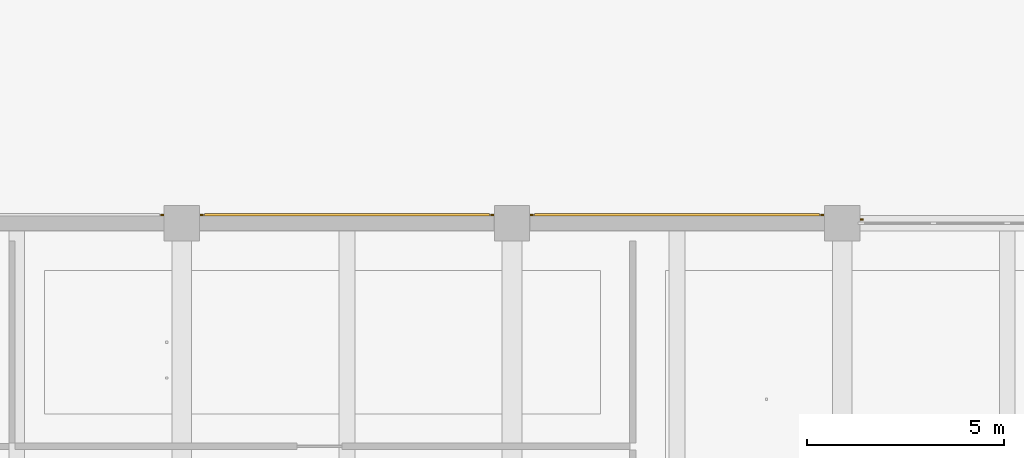
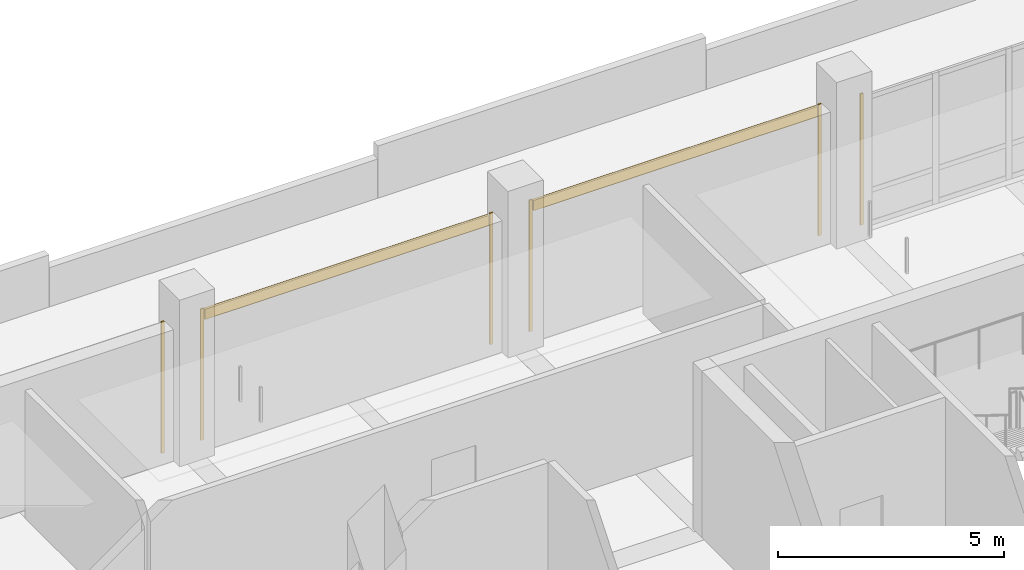
# One storey, part 58 of 59: 8 coverings.
"""IFC4 building model written with IfcOpenShell, lengths in metres."""

import ifcopenshell
import ifcopenshell.guid

model = None  # the IFC model being written
_history = None  # IfcOwnerHistory: only IFC2X3 demands one
_inside = {}  # id of a spatial element -> (the spatial element, [elements in it])
_under = {}  # id of a project, library or spatial element -> (it, [spatial elements below it])
_declared = {}  # id of a project -> (the project, [libraries it declares])
_typed = {}  # id of a type object -> (the type object, [elements of that type])
_made_of = {}  # id of a material, layer set ... -> (it, [elements and type objects made of it])


def new_model(schema):
    """Start an empty IFC model of exactly this schema.

    Asked for "IFC4X3", IfcOpenShell would pick the latest addendum, in which some entities
    have other attributes; the version numbers below select the first issue.
    IFC2X3 requires an IfcOwnerHistory on every rooted entity: one is made here for all.
    """
    global model, _history
    if schema == "IFC4X3":
        model = ifcopenshell.file(schema_version=(4, 3, 0, 0))
    else:
        model = ifcopenshell.file(schema=schema)
    _inside.clear()
    _under.clear()
    _declared.clear()
    _typed.clear()
    _made_of.clear()
    _history = None
    if model.schema == "IFC2X3":
        org = make("IfcOrganization", Name="unknown")
        user = make(
            "IfcPersonAndOrganization",
            ThePerson=make("IfcPerson", FamilyName="unknown"),
            TheOrganization=org,
        )
        app = make(
            "IfcApplication",
            ApplicationDeveloper=org,
            Version="unknown",
            ApplicationFullName="unknown",
            ApplicationIdentifier="unknown",
        )
        _history = make(
            "IfcOwnerHistory",
            OwningUser=user,
            OwningApplication=app,
            ChangeAction="ADDED",
            CreationDate=0,
        )
    return model


def make(cls, **values):
    """One entity of the class cls with the attributes given. An attribute that is None is left unset."""
    return model.create_entity(
        cls, **{name: value for name, value in values.items() if value is not None}
    )


def rooted(cls, **values):
    """An entity with a GlobalId (a new one), such as an element, a storey or a relation."""
    return make(cls, GlobalId=ifcopenshell.guid.new(), OwnerHistory=_history, **values)


def si_unit(unit_type, name, prefix=None):
    """IfcSIUnit, for example si_unit("LENGTHUNIT", "METRE", prefix="MILLI")."""
    return make("IfcSIUnit", UnitType=unit_type, Prefix=prefix, Name=name)


def assignment(units):
    """IfcUnitAssignment: the units of a project."""
    return None if units is None else make("IfcUnitAssignment", Units=units)


def point(xyz):
    """IfcCartesianPoint."""
    return None if xyz is None else make("IfcCartesianPoint", Coordinates=xyz)


def direction(xyz):
    """IfcDirection."""
    return None if xyz is None else make("IfcDirection", DirectionRatios=xyz)


def frame(location, z_axis=None, x_axis=None):
    """IfcAxis2Placement3D, a coordinate frame: its origin and axes. An axis left out is left unset."""
    return make(
        "IfcAxis2Placement3D",
        Location=point(location),
        Axis=direction(z_axis),
        RefDirection=direction(x_axis),
    )


def frame_2d(location, x_axis=None):
    """IfcAxis2Placement2D, a coordinate frame in the plane: its origin and x axis."""
    return make(
        "IfcAxis2Placement2D", Location=point(location), RefDirection=direction(x_axis)
    )


def origin():
    """The frame at (0, 0, 0) with its axes left unset."""
    return frame((0.0, 0.0, 0.0))


def origin_2d():
    """The frame at (0, 0) in the plane with its x axis left unset."""
    return frame_2d((0.0, 0.0))


def place(relative_to, where):
    """IfcLocalPlacement: puts the frame where relative to a parent placement (None: the world)."""
    return make(
        "IfcLocalPlacement", PlacementRelTo=relative_to, RelativePlacement=where
    )


def context(
    kind, dimensions, precision=None, world=None, true_north=None, identifier=None
):
    """IfcGeometricRepresentationContext, for example the 3D "Model" context."""
    return make(
        "IfcGeometricRepresentationContext",
        ContextIdentifier=identifier,
        ContextType=kind,
        CoordinateSpaceDimension=dimensions,
        Precision=precision,
        WorldCoordinateSystem=world,
        TrueNorth=true_north,
    )


def subcontext(parent, identifier, kind, view, scale=None):
    """IfcGeometricRepresentationSubContext, for example "Body" below "Model"."""
    return make(
        "IfcGeometricRepresentationSubContext",
        ContextIdentifier=identifier,
        ContextType=kind,
        ParentContext=parent,
        TargetScale=scale,
        TargetView=view,
    )


def project(units=None, contexts=None):
    """IfcProject with its units and contexts."""
    return rooted(
        "IfcProject",
        Name="project",
        RepresentationContexts=contexts,
        UnitsInContext=assignment(units),
    )


def spatial(cls, under=None, at=None, **own):
    """A site, building, storey or space (cls), placed at a placement, below another one or the project."""
    s = rooted(cls, ObjectPlacement=at, **own)
    if under is not None:
        _under.setdefault(under.id(), (under, []))[1].append(s)
    return s


def profile(cls, at=None, kind="AREA", **sizes):
    """A parametric profile (cls). Its sizes go by their IFC names, for example OverallWidth=200.0."""
    return make(cls, ProfileType=kind, Position=at, **sizes)


def rectangle(**sizes):
    """IfcRectangleProfileDef."""
    return profile("IfcRectangleProfileDef", **sizes)


def extrude(swept, where, along, depth):
    """IfcExtrudedAreaSolid: the profile swept, set in the frame where, extruded along a direction by depth."""
    return make(
        "IfcExtrudedAreaSolid",
        SweptArea=swept,
        Position=where,
        ExtrudedDirection=direction(along),
        Depth=depth,
    )


def shape(context_of_items, identifier, shape_type, items):
    """IfcShapeRepresentation: the items that make up one representation, for example the "Body"."""
    return make(
        "IfcShapeRepresentation",
        ContextOfItems=context_of_items,
        RepresentationIdentifier=identifier,
        RepresentationType=shape_type,
        Items=items,
    )


def material(Name=None, Category=None):
    """IfcMaterial."""
    return make("IfcMaterial", Name=Name, Category=Category)


def layer(
    of_material, thickness, ventilated=None, Name=None, Category=None, Priority=None
):
    """IfcMaterialLayer: one layer of a wall or slab, of a material (None: an air gap)."""
    return make(
        "IfcMaterialLayer",
        Material=of_material,
        LayerThickness=thickness,
        IsVentilated=ventilated,
        Name=Name,
        Category=Category,
        Priority=Priority,
    )


def layer_set(layers, Name=None):
    """IfcMaterialLayerSet."""
    return make("IfcMaterialLayerSet", MaterialLayers=layers, LayerSetName=Name)


def made_of(thing, what):
    """Note that an element or type object is made of a material, layer set ...; save() writes the relation."""
    if what is not None:
        _made_of.setdefault(what.id(), (what, []))[1].append(thing)
    return thing


def type_object(cls, material=None, **own):
    """A type object (cls), such as IfcWallType, which elements share."""
    return made_of(rooted(cls, **own), material)


def element(
    cls,
    number,
    at=None,
    inside=None,
    cuts=None,
    type_object=None,
    material=None,
    context=None,
    identifier="Body",
    shape_type=None,
    held_by="IfcProductDefinitionShape",
    body=None,
    shapes=None,
    **own,
):
    """One element of the class cls, such as IfcWall. Its Tag is "e" and its number.

    at: its placement. inside: the storey or other place that contains it. cuts: it is an
    opening in that element (IfcRelVoidsElement). A single representation is given by context,
    identifier, shape_type and body (its items); several are given by shapes. held_by: the class
    of the entity that holds the representations. save() writes the other relations.
    """
    e = rooted(cls, Tag="e%d" % number, ObjectPlacement=at, **own)
    if body is not None:
        shapes = [shape(context, identifier, shape_type, body)]
    if shapes is not None:
        e.Representation = make(held_by, Representations=shapes)
    if inside is not None:
        _inside.setdefault(inside.id(), (inside, []))[1].append(e)
    if cuts is not None:
        rooted(
            "IfcRelVoidsElement", RelatingBuildingElement=cuts, RelatedOpeningElement=e
        )
    if type_object is not None:
        _typed.setdefault(type_object.id(), (type_object, []))[1].append(e)
    return made_of(e, material)


def aggregate(whole, parts):
    """IfcRelAggregates: a whole, such as a stair, and the parts it consists of."""
    return rooted("IfcRelAggregates", RelatingObject=whole, RelatedObjects=parts)


def save(model, path):
    """Write the relations noted so far, then the file.

    IfcRelAggregates (storeys below a building ...), IfcRelContainedInSpatialStructure (elements
    in a storey), IfcRelDefinesByType, IfcRelAssociatesMaterial and IfcRelDeclares: one each for
    every whole, place, type object, material and project.
    """
    for whole, parts in _under.values():
        aggregate(whole, parts)
    for where, things in _inside.values():
        rooted(
            "IfcRelContainedInSpatialStructure",
            RelatedElements=things,
            RelatingStructure=where,
        )
    for kind, things in _typed.values():
        rooted("IfcRelDefinesByType", RelatedObjects=things, RelatingType=kind)
    for what, things in _made_of.values():
        rooted("IfcRelAssociatesMaterial", RelatedObjects=things, RelatingMaterial=what)
    for by, libraries in _declared.values():
        rooted("IfcRelDeclares", RelatingContext=by, RelatedDefinitions=libraries)
    model.write(path)


model = new_model("IFC4")

# Units and contexts
model_context = context("Model", 3, precision=1e-05, world=origin(), true_north=direction((0.0, 1.0)))
body_context = subcontext(model_context, "Body", "Model", "MODEL_VIEW")
ifc_project = project(units=[si_unit("LENGTHUNIT", "METRE"), si_unit("AREAUNIT", "SQUARE_METRE"), si_unit("VOLUMEUNIT", "CUBIC_METRE"), si_unit("PLANEANGLEUNIT", "RADIAN"), si_unit("MASSUNIT", "GRAM", prefix="KILO")], contexts=[model_context])

# Site, building, storey
site_placement = place(None, origin())
site = spatial("IfcSite", under=ifc_project, at=site_placement, CompositionType="ELEMENT")
building_placement = place(site_placement, origin())
building = spatial("IfcBuilding", under=site, at=building_placement, Name="Telukmera Botanical Conservatory", CompositionType="ELEMENT")
storey_placement = place(building_placement, frame((0.0, 0.0, 15.0)))
storey = spatial("IfcBuildingStorey", under=building, at=storey_placement, Name="L03", CompositionType="ELEMENT", Elevation=15.0)

# Coverings
ifc_material_1 = material(Name="Granite-faced precast concrete C40/50", Category="masonry")
ifc_layer_1 = layer(ifc_material_1, 0.0400390625)
ifc_layer_set_1 = layer_set([ifc_layer_1], Name="Granite-faced precast concrete C40/50")
covering_type_1 = type_object("IfcCoveringType", Name="Granite Precast Column Pier Reveal Casing", PredefinedType="CLADDING", material=ifc_layer_set_1)
for number, where, z_axis, x_axis, name in (
    (1, (83.498046875, 43.010009765625, 0.0), (0.0, 0.0, 1.0), (1.0, 0.0, 0.0), "Granite Pier Reveal V4:L03:N4 R"),
    (2, (84.501953125, 43.010009765625, 0.0), (0.0, 0.0, 1.0), (1.0, 0.0, 0.0), "Granite Pier Reveal V4:L03:N5 L"),
    (3, (91.89794921875, 43.010009765625, 0.0), (0.0, 0.0, 1.0), (1.0, 0.0, 0.0), "Granite Pier Reveal V4:L03:N5 R"),
    (4, (92.902099609375, 43.010009765625, 0.0), (0.0, 0.0, 1.0), (1.0, 0.0, 0.0), "Granite Pier Reveal V4:L03:N6 L"),
    (5, (100.298095703125, 43.010009765625, 0.0), (0.0, 0.0, 1.0), (1.0, 0.0, 0.0), "Granite Pier Reveal V4:L03:N6 R"),
    (6, (101.302001953125, 42.89990234375, 0.0), (0.0, 0.0, 1.0), (1.0, 0.0, 0.0), "Granite Pier Reveal V4:L03:N7 L"),
):
    element("IfcCovering", number, at=place(storey_placement, frame(where, z_axis=z_axis, x_axis=x_axis)), inside=storey, type_object=covering_type_1, Name=name, PredefinedType="CLADDING", context=body_context, shape_type="SweptSolid", body=[
        extrude(rectangle(XDim=0.080078125, YDim=0.0400390625, at=origin_2d()), origin(), (0.0, 0.0, 1.0), 3.550048828125),
    ])
ifc_material_2 = material(Name="Terracotta-faced precast concrete C40/50", Category="masonry")
ifc_layer_2 = layer(ifc_material_2, 0.06005859375)
ifc_layer_set_2 = layer_set([ifc_layer_2], Name="Terracotta-faced precast concrete C40/50")
covering_type_2 = type_object("IfcCoveringType", Name="Polychrome Terracotta Facade Band Cladding", PredefinedType="CLADDING", material=ifc_layer_set_2)
for number, where, z_axis, x_axis, name in (
    (7, (88.199951171875, 43.02001953125, 3.22998046875), (0.0, 0.0, 1.0), (1.0, 0.0, 0.0), "Polychrome Terracotta Band V4:L03:N5"),
    (8, (96.60009765625, 43.02001953125, 3.22998046875), (0.0, 0.0, 1.0), (1.0, 0.0, 0.0), "Polychrome Terracotta Band V4:L03:N6"),
):
    element("IfcCovering", number, at=place(storey_placement, frame(where, z_axis=z_axis, x_axis=x_axis)), inside=storey, type_object=covering_type_2, Name=name, PredefinedType="CLADDING", context=body_context, shape_type="SweptSolid", body=[
        extrude(rectangle(XDim=7.256103515625, YDim=0.06005859375, at=origin_2d()), origin(), (0.0, 0.0, 1.0), 0.280029296875),
    ])

save(model, "model.ifc")
